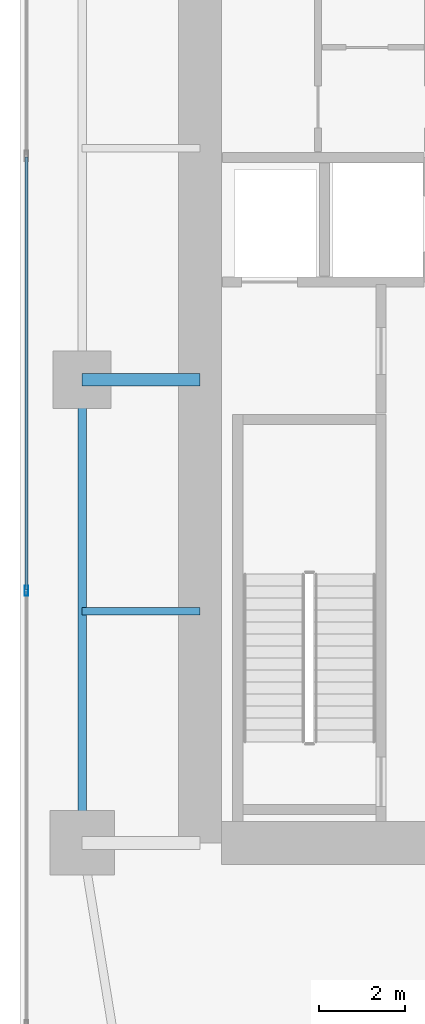
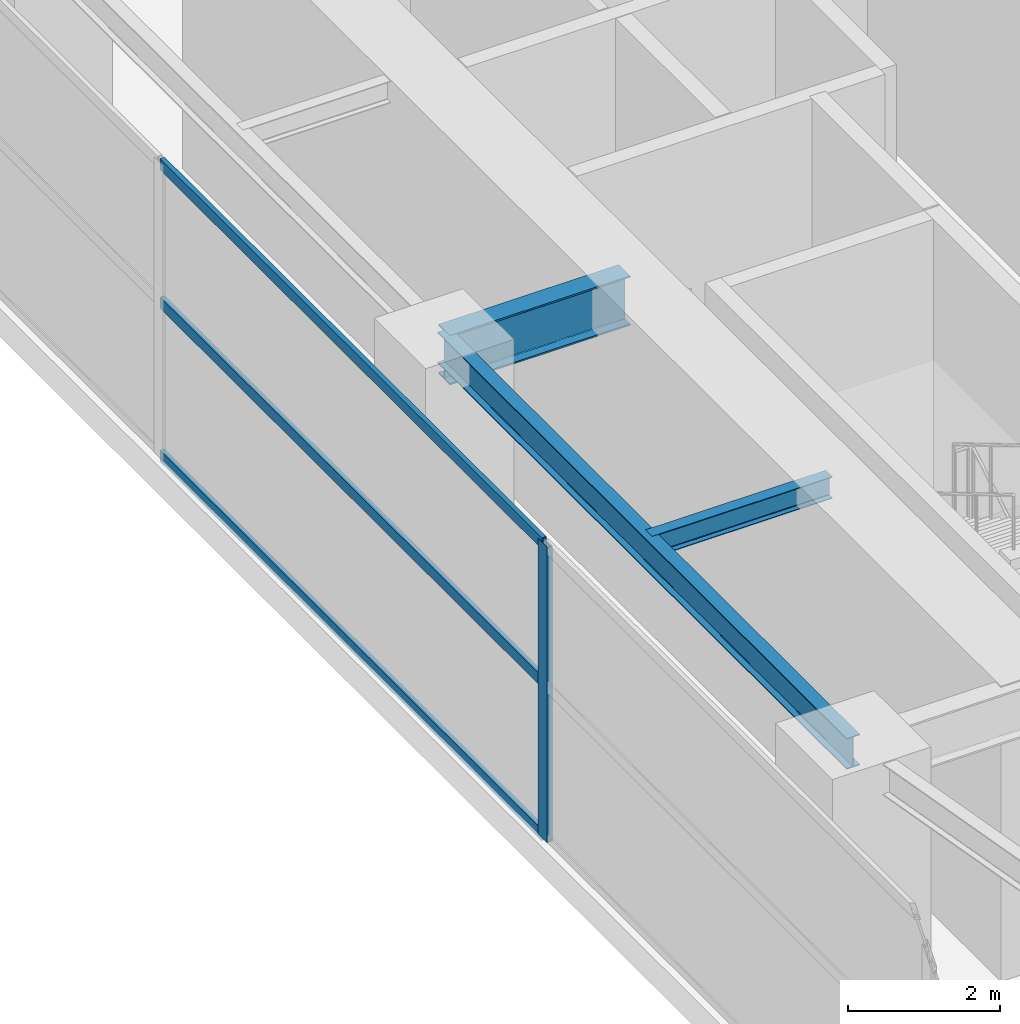
# One storey, part 9 of 36: 4 members, 3 beams, 1 element without a shape of its own.
"""IFC4 building model written with IfcOpenShell, lengths in metres."""

from ifc_helpers import new_model, si_unit, direction, frame, origin, origin_2d, place, context, subcontext, project, spatial, hollow_rectangle, i_section, extrude, material, layer, layer_set, material_profile, profile_set, type_object, element, aggregate, save


model = new_model("IFC4")

# Units and contexts
model_context = context("Model", 3, precision=1e-05, world=origin(), true_north=direction((0.0, 1.0)))
body_context = subcontext(model_context, "Body", "Model", "MODEL_VIEW")
ifc_project = project(units=[si_unit("LENGTHUNIT", "METRE"), si_unit("AREAUNIT", "SQUARE_METRE"), si_unit("VOLUMEUNIT", "CUBIC_METRE"), si_unit("PLANEANGLEUNIT", "RADIAN"), si_unit("MASSUNIT", "GRAM", prefix="KILO")], contexts=[model_context])

# Site, building, storey
site_placement = place(None, origin())
site = spatial("IfcSite", under=ifc_project, at=site_placement, CompositionType="ELEMENT")
building_placement = place(site_placement, origin())
building = spatial("IfcBuilding", under=site, at=building_placement, Name="Calvorn Quay Hotel", CompositionType="ELEMENT")
storey_placement = place(building_placement, frame((0.0, 0.0, 22.0)))
storey = spatial("IfcBuildingStorey", under=building, at=storey_placement, Name="L04", CompositionType="ELEMENT", Elevation=22.0)

# Beams
ifc_material_1 = material(Name="Steel Q390GJC", Category="steel")
ifc_material_profile_1 = material_profile(ifc_material_1, i_section(OverallWidth=0.300048828125, OverallDepth=0.800048828125, WebThickness=0.013916015625, FlangeThickness=0.02587890625, FilletRadius=0.02392578125, at=origin_2d()), Name="HN800x300x14x26")
ifc_profile_set_1 = profile_set([ifc_material_profile_1], Name="Steel Q390GJC")
beam_type_1 = type_object("IfcBeamType", Name="BM-GIRD-POD", PredefinedType="BEAM", material=ifc_profile_set_1)
beam_1_placement = place(storey_placement, frame((1.449951171875, 27.60009765625, 4.340087890625), z_axis=(1.0, 0.0, 0.0), x_axis=(0.0, 1.0, 0.0)))
element("IfcBeam", 1, at=beam_1_placement, inside=storey, type_object=beam_type_1, Name="Beam BG-L04-W2", PredefinedType="BEAM", context=body_context, shape_type="SweptSolid", body=[
    extrude(i_section(OverallWidth=0.300048828125, OverallDepth=0.800048828125, WebThickness=0.013916015625, FlangeThickness=0.02587890625, FilletRadius=0.02392578125, at=origin_2d()), origin(), (0.0, 0.0, 1.0), 2.75),
])
ifc_material_2 = material(Name="Steel Q355B", Category="steel")
ifc_material_profile_2 = material_profile(ifc_material_2, i_section(OverallWidth=0.175048828125, OverallDepth=0.35009765625, WebThickness=0.007080078125, FlangeThickness=0.010986328125, FilletRadius=0.013916015625, at=origin_2d()), Name="HN350x175x7x11")
ifc_profile_set_2 = profile_set([ifc_material_profile_2], Name="Steel Q355B")
beam_type_2 = type_object("IfcBeamType", Name="BM-JOIST-SEC", PredefinedType="JOIST", material=ifc_profile_set_2)
beam_2_placement = place(storey_placement, frame((1.449951171875, 22.199951171875, 4.56494140625), z_axis=(1.0, 0.0, 0.0), x_axis=(0.0, 1.0, 0.0)))
element("IfcBeam", 2, at=beam_2_placement, inside=storey, type_object=beam_type_2, Name="Beam BJ-L04-W3", PredefinedType="JOIST", context=body_context, shape_type="SweptSolid", body=[
    extrude(i_section(OverallWidth=0.175048828125, OverallDepth=0.35009765625, WebThickness=0.007080078125, FlangeThickness=0.010986328125, FilletRadius=0.013916015625, at=origin_2d()), origin(), (0.0, 0.0, 1.0), 2.75),
])
ifc_material_3 = material(Name="Steel Q355B", Category="steel")
ifc_material_profile_3 = material_profile(ifc_material_3, i_section(OverallWidth=0.199951171875, OverallDepth=0.5, WebThickness=0.010009765625, FlangeThickness=0.01611328125, FilletRadius=0.01611328125, at=origin_2d()), Name="HN500x200x10x16")
ifc_profile_set_3 = profile_set([ifc_material_profile_3], Name="Steel Q355B")
beam_type_3 = type_object("IfcBeamType", Name="BM-SPANDREL-Z1", PredefinedType="SPANDREL", material=ifc_profile_set_3)
beam_3_placement = place(storey_placement, frame((1.449951171875, 16.800048828125, 4.489990234375), z_axis=(0.0, 1.0, 0.0), x_axis=(-1.0, 0.0, 0.0)))
element("IfcBeam", 3, at=beam_3_placement, inside=storey, type_object=beam_type_3, Name="Beam BSP-L04-W2", PredefinedType="SPANDREL", context=body_context, shape_type="SweptSolid", body=[
    extrude(i_section(OverallWidth=0.199951171875, OverallDepth=0.5, WebThickness=0.010009765625, FlangeThickness=0.01611328125, FilletRadius=0.01611328125, at=origin_2d()), origin(), (0.0, 0.0, 1.0), 10.800048828125),
])

# Curtain wall, members
ifc_material_4 = material(Name="Pale Anodised Aluminium and Low-E Glass", Category="aluminium")
ifc_layer = layer(ifc_material_4, 0.219970703125)
ifc_layer_set = layer_set([ifc_layer], Name="CW-SYS-POD")
curtain_wall_type = type_object("IfcCurtainWallType", Name="CW-SYS-POD", PredefinedType="NOTDEFINED", material=ifc_layer_set)
curtain_wall_placement = place(storey_placement, origin())
curtain_wall = element("IfcCurtainWall", 4, at=curtain_wall_placement, inside=storey, type_object=curtain_wall_type, Name="Podium Curtain Wall L04-W1", PredefinedType="NOTDEFINED")
ifc_material_5 = material(Name="Pale Anodised Aluminium 6063-T6", Category="aluminium")
ifc_material_profile_4 = material_profile(ifc_material_5, hollow_rectangle(XDim=0.080078125, YDim=0.239990234375, WallThickness=0.0048828125, at=origin_2d()), Name="ALU-M240x80x5")
ifc_profile_set_4 = profile_set([ifc_material_profile_4], Name="Pale Anodised Aluminium 6063-T6")
member_type_1 = type_object("IfcMemberType", Name="CW-SYS-POD-MUL", PredefinedType="MULLION", material=ifc_profile_set_4)
member_1_placement = place(storey_placement, frame((0.14990234375, 22.679931640625, 0.0), z_axis=(0.0, 0.0, 1.0), x_axis=(-1.0, 0.0, 0.0)))
member_1 = element("IfcMember", 5, at=member_1_placement, type_object=member_type_1, Name="CW-L04-W1 mullion 3", PredefinedType="MULLION", context=body_context, shape_type="SweptSolid", body=[
    extrude(hollow_rectangle(XDim=0.080078125, YDim=0.239990234375, WallThickness=0.0048828125, at=origin_2d()), origin(), (0.0, 0.0, 1.0), 4.760009765625),
])
ifc_material_6 = material(Name="Pale Anodised Aluminium 6063-T6", Category="aluminium")
ifc_material_profile_5 = material_profile(ifc_material_6, hollow_rectangle(XDim=0.070068359375, YDim=0.179931640625, WallThickness=0.00390625, at=origin_2d()), Name="ALU-T180x70x4")
ifc_profile_set_5 = profile_set([ifc_material_profile_5], Name="Pale Anodised Aluminium 6063-T6")
member_type_2 = type_object("IfcMemberType", Name="CW-SYS-POD-TRN", PredefinedType="USERDEFINED", material=ifc_profile_set_5)
member_2_placement = place(storey_placement, frame((0.14990234375, 22.7099609375, 0.030029296875), z_axis=(0.0, 1.0, 0.0), x_axis=(-1.0, 0.0, 0.0)))
member_2 = element("IfcMember", 6, at=member_2_placement, type_object=member_type_2, Name="CW-L04-W1 transom 3.1", ObjectType="TRANSOM", PredefinedType="USERDEFINED", context=body_context, shape_type="SweptSolid", body=[
    extrude(hollow_rectangle(XDim=0.070068359375, YDim=0.179931640625, WallThickness=0.00390625, at=origin_2d()), origin(), (0.0, 0.0, 1.0), 10.080078125),
])
member_3_placement = place(storey_placement, frame((0.14990234375, 22.7099609375, 2.5), z_axis=(0.0, 1.0, 0.0), x_axis=(-1.0, 0.0, 0.0)))
member_3 = element("IfcMember", 7, at=member_3_placement, type_object=member_type_2, Name="CW-L04-W1 transom 3.2", ObjectType="TRANSOM", PredefinedType="USERDEFINED", context=body_context, shape_type="SweptSolid", body=[
    extrude(hollow_rectangle(XDim=0.070068359375, YDim=0.179931640625, WallThickness=0.00390625, at=origin_2d()), origin(), (0.0, 0.0, 1.0), 10.080078125),
])
member_4_placement = place(storey_placement, frame((0.14990234375, 22.7099609375, 4.72998046875), z_axis=(0.0, 1.0, 0.0), x_axis=(-1.0, 0.0, 0.0)))
member_4 = element("IfcMember", 8, at=member_4_placement, type_object=member_type_2, Name="CW-L04-W1 transom 3.3", ObjectType="TRANSOM", PredefinedType="USERDEFINED", context=body_context, shape_type="SweptSolid", body=[
    extrude(hollow_rectangle(XDim=0.070068359375, YDim=0.179931640625, WallThickness=0.00390625, at=origin_2d()), origin(), (0.0, 0.0, 1.0), 10.080078125),
])
aggregate(curtain_wall, [member_1, member_2, member_3, member_4])

save(model, "model.ifc")
